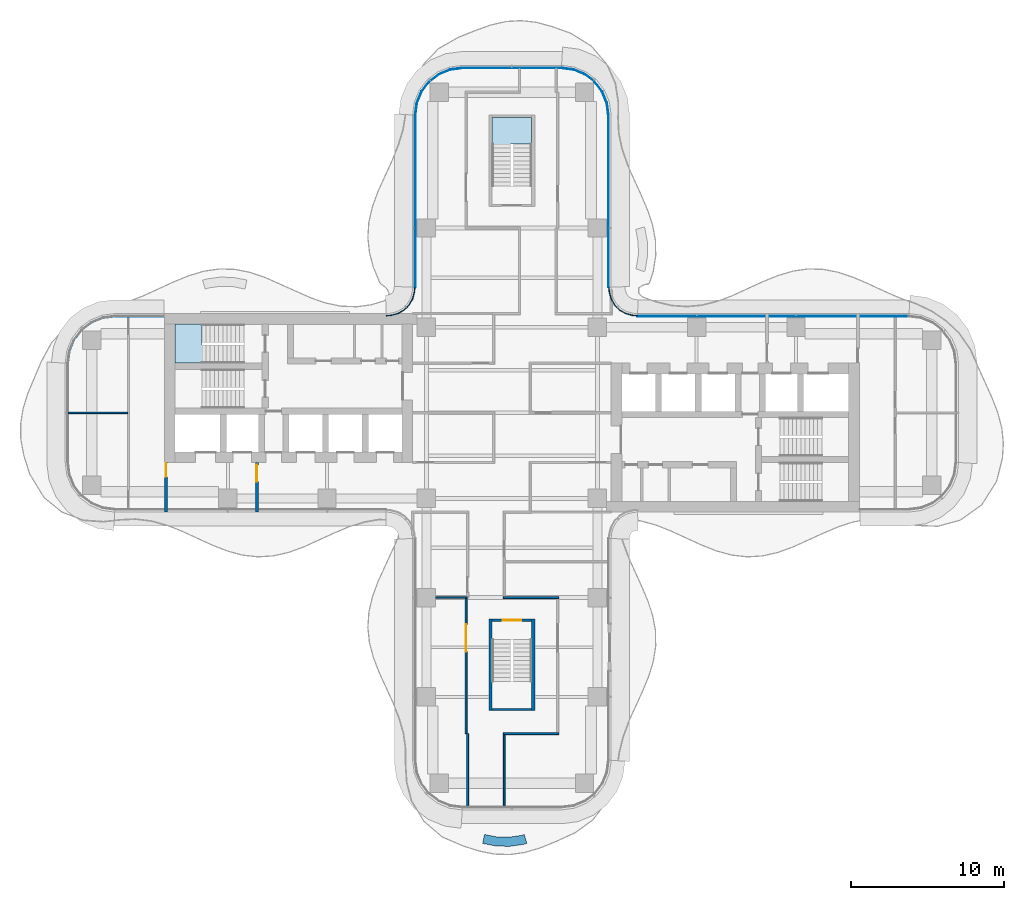
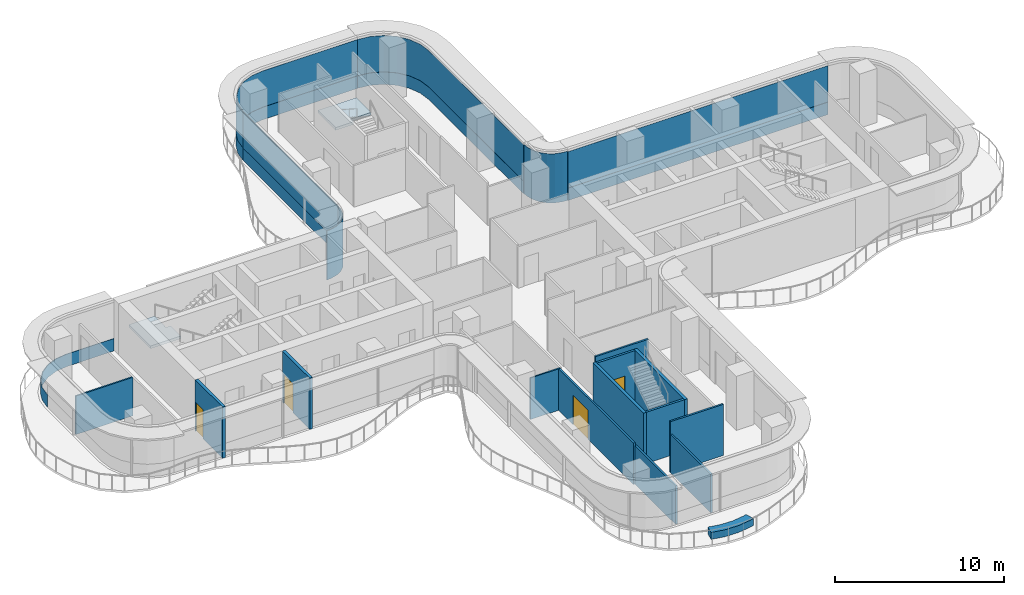
# One storey, part 12 of 18: 14 walls, 11 plates, 4 doors, 2 slabs, 4 openings, 9 elements without a shape of their own.
"""IFC4 building model written with IfcOpenShell, lengths in metres."""

from ifc_helpers import new_model, si_unit, direction, frame, frame_2d, origin, place, context, subcontext, project, spatial, polyline, rectangle, outline, extrude, source, transform, mapped, material, layer, layer_set, type_object, element, fill, aggregate, save


model = new_model("IFC4")

# Units and contexts
model_context = context("Model", 3, precision=1e-05, world=origin(), true_north=direction((0.0, 1.0)))
body_context = subcontext(model_context, "Body", "Model", "MODEL_VIEW")
ifc_project = project(units=[si_unit("LENGTHUNIT", "METRE"), si_unit("AREAUNIT", "SQUARE_METRE"), si_unit("VOLUMEUNIT", "CUBIC_METRE"), si_unit("PLANEANGLEUNIT", "RADIAN"), si_unit("MASSUNIT", "GRAM", prefix="KILO")], contexts=[model_context])

# Site, building, storey
site_placement = place(None, origin())
site = spatial("IfcSite", under=ifc_project, at=site_placement, CompositionType="ELEMENT")
building_placement = place(site_placement, origin())
building = spatial("IfcBuilding", under=site, at=building_placement, Name="Trellis Farm Tower", CompositionType="ELEMENT")
storey_placement = place(building_placement, frame((0.0, 0.0, 189.300048828125)))
storey = spatial("IfcBuildingStorey", under=building, at=storey_placement, Name="L41", CompositionType="ELEMENT", Elevation=189.300048828125)

# Stair, slab
ifc_material_1 = material(Name="Concrete C50/60", Category="concrete")
stair_type = type_object("IfcStairType", Name="CORE EXIT STAIR 22 RISERS 177 MM", PredefinedType="HALF_TURN_STAIR", material=ifc_material_1)
placement_1 = place(storey_placement, origin())
stair_1 = element("IfcStair", 1, at=placement_1, inside=storey, type_object=stair_type, Name="Exit stair N", PredefinedType="HALF_TURN_STAIR")
ifc_layer_1 = layer(ifc_material_1, 0.18994140625)
ifc_layer_set_1 = layer_set([ifc_layer_1], Name="CORE STAIR LANDING 190 CONCRETE C50/60")
slab_type = type_object("IfcSlabType", Name="CORE STAIR LANDING 190 CONCRETE C50/60", PredefinedType="LANDING", material=ifc_layer_set_1)
shared_shape_1 = source(origin(), body_context, "Body", "SweptSolid", [
    extrude(outline(polyline([(-0.10009765625, 17.27197265625), (-1.300048828125, 17.27197265625), (-1.300048828125, 17.60009765625), (-1.300048828125, 19.35009765625), (1.300048828125, 19.35009765625), (1.300048828125, 17.60009765625), (1.300048828125, 17.590087890625), (0.10009765625, 17.590087890625), (0.10009765625, 17.60009765625), (-0.10009765625, 17.60009765625), (-0.10009765625, 17.27197265625)])), origin(), (0.0, 0.0, 1.0), 0.18994140625),
])
placement_2 = place(storey_placement, frame((0.0, 0.0, 1.760009765625)))
slab_1 = element("IfcSlab", 2, at=placement_2, type_object=slab_type, Name="STN landing 1", PredefinedType="LANDING", context=body_context, shape_type="MappedRepresentation", body=[
    mapped(shared_shape_1, transform((0.0, 0.0, 0.0))),
])
aggregate(stair_1, [slab_1])

stair_2 = element("IfcStair", 3, at=placement_1, inside=storey, type_object=stair_type, Name="Exit stair W1", PredefinedType="HALF_TURN_STAIR")
shared_shape_2 = source(origin(), body_context, "Body", "SweptSolid", [
    extrude(outline(polyline([(-19.971923828125, 4.449951171875), (-19.971923828125, 3.25), (-20.300048828125, 3.25), (-22.050048828125, 3.25), (-22.050048828125, 5.800048828125), (-20.300048828125, 5.800048828125), (-20.2900390625, 5.800048828125), (-20.2900390625, 4.60009765625), (-20.300048828125, 4.60009765625), (-20.300048828125, 4.449951171875), (-19.971923828125, 4.449951171875)])), origin(), (0.0, 0.0, 1.0), 0.18994140625),
])
slab_2 = element("IfcSlab", 4, at=placement_2, type_object=slab_type, Name="STW1 landing 1", PredefinedType="LANDING", context=body_context, shape_type="MappedRepresentation", body=[
    mapped(shared_shape_2, transform((0.0, 0.0, 0.0))),
])
aggregate(stair_2, [slab_2])

# Curtain wall, plate
ifc_material_2 = material(Name="Aluminium and glass curtain wall", Category="aluminium")
ifc_layer_2 = layer(ifc_material_2, 0.18994140625)
ifc_layer_set_2 = layer_set([ifc_layer_2], Name="RIBBON CURTAIN WALL CW1")
curtain_wall_type_1 = type_object("IfcCurtainWallType", Name="RIBBON CURTAIN WALL CW1", PredefinedType="NOTDEFINED", material=ifc_layer_set_2)
curtain_wall_1 = element("IfcCurtainWall", 5, at=placement_1, inside=storey, type_object=curtain_wall_type_1, Name="CW1 008", PredefinedType="NOTDEFINED")
ifc_material_3 = material(Name="Sandstone faced insulated panel", Category="masonry")
ifc_layer_3 = layer(ifc_material_3, 0.050048828125)
ifc_layer_set_3 = layer_set([ifc_layer_3], Name="CW1 STONE SPANDREL PANEL 50")
plate_type_1 = type_object("IfcPlateType", Name="CW1 STONE SPANDREL PANEL 50", PredefinedType="CURTAIN_PANEL", material=ifc_layer_set_3)
shared_shape_3 = source(origin(), body_context, "Body", "SweptSolid", [
    extrude(outline(polyline([(25.990234375, 6.35009765625), (8.2265625, 6.35009765625), (8.224853515625, 6.300048828125), (25.98681640625, 6.300048828125), (25.990234375, 6.35009765625)])), origin(), (0.0, 0.0, 1.0), 0.89990234375),
])
plate_1 = element("IfcPlate", 6, at=placement_1, type_object=plate_type_1, Name="PS1 008", PredefinedType="CURTAIN_PANEL", context=body_context, shape_type="MappedRepresentation", body=[
    mapped(shared_shape_3, transform((0.0, 0.0, 0.0))),
])

ifc_layer_4 = layer(ifc_material_2, 0.166015625)
ifc_layer_set_4 = layer_set([ifc_layer_4], Name="WINTER GARDEN CURTAIN WALL CW3")
curtain_wall_type_2 = type_object("IfcCurtainWallType", Name="WINTER GARDEN CURTAIN WALL CW3", PredefinedType="NOTDEFINED", material=ifc_layer_set_4)
curtain_wall_2 = element("IfcCurtainWall", 7, at=placement_1, inside=storey, type_object=curtain_wall_type_2, Name="CW3 003", PredefinedType="NOTDEFINED")
ifc_material_4 = material(Name="Clear insulated glass", Category="glass")
ifc_layer_5 = layer(ifc_material_4, 0.0458984375)
ifc_layer_set_5 = layer_set([ifc_layer_5], Name="CW3 GLASS PANEL 46")
plate_type_2 = type_object("IfcPlateType", Name="CW3 GLASS PANEL 46", PredefinedType="CURTAIN_PANEL", material=ifc_layer_set_5)
shared_shape_4 = source(origin(), body_context, "Body", "SweptSolid", [
    extrude(outline(polyline([(8.2275390625, 6.3798828125), (8.0078125, 6.394287109375), (7.89208984375, 6.40966796875), (7.462158203125, 6.52490234375), (7.070556640625, 6.7509765625), (6.7509765625, 7.070556640625), (6.52490234375, 7.462158203125), (6.40966796875, 7.89208984375), (6.394287109375, 8.0078125), (6.3798828125, 8.2275390625), (6.333984375, 8.22607421875), (6.3486328125, 8.003173828125), (6.364501953125, 7.883056640625), (6.48193359375, 7.4443359375), (6.714111328125, 7.04248046875), (7.04248046875, 6.714111328125), (7.4443359375, 6.48193359375), (7.883056640625, 6.364501953125), (8.003173828125, 6.3486328125), (8.22607421875, 6.333984375), (8.2275390625, 6.3798828125)])), origin(), (0.0, 0.0, 1.0), 3.550048828125),
])
plate_2 = element("IfcPlate", 8, at=placement_1, type_object=plate_type_2, Name="PL3 003", PredefinedType="CURTAIN_PANEL", context=body_context, shape_type="MappedRepresentation", body=[
    mapped(shared_shape_4, transform((0.0, 0.0, 0.0))),
])
aggregate(curtain_wall_2, [plate_2])

curtain_wall_3 = element("IfcCurtainWall", 9, at=placement_1, inside=storey, type_object=curtain_wall_type_2, Name="CW3 004", PredefinedType="NOTDEFINED")
shared_shape_5 = source(origin(), body_context, "Body", "SweptSolid", [
    extrude(outline(polyline([(-6.3798828125, 8.2275390625), (-6.394287109375, 8.0078125), (-6.40966796875, 7.89208984375), (-6.52490234375, 7.462158203125), (-6.7509765625, 7.070556640625), (-7.070556640625, 6.7509765625), (-7.462158203125, 6.52490234375), (-7.89208984375, 6.40966796875), (-8.0078125, 6.394287109375), (-8.2275390625, 6.3798828125), (-8.22607421875, 6.333984375), (-8.003173828125, 6.3486328125), (-7.883056640625, 6.364501953125), (-7.4443359375, 6.48193359375), (-7.04248046875, 6.714111328125), (-6.714111328125, 7.04248046875), (-6.48193359375, 7.4443359375), (-6.364501953125, 7.883056640625), (-6.3486328125, 8.003173828125), (-6.333984375, 8.22607421875), (-6.3798828125, 8.2275390625)])), origin(), (0.0, 0.0, 1.0), 3.550048828125),
])
plate_3 = element("IfcPlate", 10, at=placement_1, type_object=plate_type_2, Name="PL3 004", PredefinedType="CURTAIN_PANEL", context=body_context, shape_type="MappedRepresentation", body=[
    mapped(shared_shape_5, transform((0.0, 0.0, 0.0))),
])
aggregate(curtain_wall_3, [plate_3])

# Plate
ifc_layer_6 = layer(ifc_material_4, 0.0400390625)
ifc_layer_set_6 = layer_set([ifc_layer_6], Name="CW1 GLASS PANEL 40")
plate_type_3 = type_object("IfcPlateType", Name="CW1 GLASS PANEL 40", PredefinedType="CURTAIN_PANEL", material=ifc_layer_set_6)
shared_shape_6 = source(origin(), body_context, "Body", "SweptSolid", [
    extrude(outline(polyline([(25.990234375, 6.35009765625), (8.2265625, 6.35009765625), (8.22509765625, 6.31005859375), (25.987548828125, 6.31005859375), (25.990234375, 6.35009765625)])), origin(), (0.0, 0.0, 1.0), 2.6201171875),
])
placement_3 = place(storey_placement, frame((0.0, 0.0, 0.89990234375)))
plate_4 = element("IfcPlate", 11, at=placement_3, type_object=plate_type_3, Name="PL1 008", PredefinedType="CURTAIN_PANEL", context=body_context, shape_type="MappedRepresentation", body=[
    mapped(shared_shape_6, transform((0.0, 0.0, 0.0))),
])

aggregate(curtain_wall_1, [plate_4, plate_1])

# Curtain wall, plate
curtain_wall_4 = element("IfcCurtainWall", 12, at=placement_1, inside=storey, type_object=curtain_wall_type_1, Name="CW1 012", PredefinedType="NOTDEFINED")
shared_shape_7 = source(origin(), body_context, "Body", "SweptSolid", [
    extrude(outline(polyline([(-22.780029296875, 6.35009765625), (-25.990234375, 6.35009765625), (-26.802001953125, 6.2431640625), (-27.54931640625, 5.93359375), (-28.191162109375, 5.441162109375), (-28.68359375, 4.79931640625), (-28.9931640625, 4.052001953125), (-29.10009765625, 3.240234375), (-29.050048828125, 3.23681640625), (-28.9443359375, 4.0390625), (-28.639892578125, 4.774169921875), (-28.155517578125, 5.405517578125), (-27.524169921875, 5.889892578125), (-26.7890625, 6.1943359375), (-25.98681640625, 6.300048828125), (-22.780029296875, 6.300048828125), (-22.780029296875, 6.35009765625)])), origin(), (0.0, 0.0, 1.0), 0.89990234375),
])
plate_5 = element("IfcPlate", 13, at=placement_1, type_object=plate_type_1, Name="PS1 012", PredefinedType="CURTAIN_PANEL", context=body_context, shape_type="MappedRepresentation", body=[
    mapped(shared_shape_7, transform((0.0, 0.0, 0.0))),
])
aggregate(curtain_wall_4, [plate_5])

# Curtain wall, plates
curtain_wall_5 = element("IfcCurtainWall", 14, at=placement_1, inside=storey, type_object=curtain_wall_type_1, Name="CW1 009", PredefinedType="NOTDEFINED")
shared_shape_8 = source(origin(), body_context, "Body", "SweptSolid", [
    extrude(outline(polyline([(6.35009765625, 8.2265625), (6.35009765625, 19.490234375), (6.2431640625, 20.302001953125), (5.93359375, 21.04931640625), (5.441162109375, 21.691162109375), (4.79931640625, 22.18359375), (4.052001953125, 22.4931640625), (3.240234375, 22.60009765625), (3.237548828125, 22.56005859375), (4.04150390625, 22.4541015625), (4.779296875, 22.148681640625), (5.41259765625, 21.66259765625), (5.898681640625, 21.029296875), (6.2041015625, 20.29150390625), (6.31005859375, 19.487548828125), (6.31005859375, 8.22509765625), (6.35009765625, 8.2265625)])), origin(), (0.0, 0.0, 1.0), 2.6201171875),
])
plate_6 = element("IfcPlate", 15, at=placement_3, type_object=plate_type_3, Name="PL1 009", PredefinedType="CURTAIN_PANEL", context=body_context, shape_type="MappedRepresentation", body=[
    mapped(shared_shape_8, transform((0.0, 0.0, 0.0))),
])
shared_shape_9 = source(origin(), body_context, "Body", "SweptSolid", [
    extrude(outline(polyline([(6.35009765625, 8.2265625), (6.35009765625, 19.490234375), (6.2431640625, 20.302001953125), (5.93359375, 21.04931640625), (5.441162109375, 21.691162109375), (4.79931640625, 22.18359375), (4.052001953125, 22.4931640625), (3.240234375, 22.60009765625), (3.23681640625, 22.550048828125), (4.0390625, 22.4443359375), (4.774169921875, 22.139892578125), (5.405517578125, 21.655517578125), (5.889892578125, 21.024169921875), (6.1943359375, 20.2890625), (6.300048828125, 19.48681640625), (6.300048828125, 8.224853515625), (6.35009765625, 8.2265625)])), origin(), (0.0, 0.0, 1.0), 0.89990234375),
])
plate_7 = element("IfcPlate", 16, at=placement_1, type_object=plate_type_1, Name="PS1 009", PredefinedType="CURTAIN_PANEL", context=body_context, shape_type="MappedRepresentation", body=[
    mapped(shared_shape_9, transform((0.0, 0.0, 0.0))),
])
aggregate(curtain_wall_5, [plate_6, plate_7])

curtain_wall_6 = element("IfcCurtainWall", 17, at=placement_1, inside=storey, type_object=curtain_wall_type_1, Name="CW1 010", PredefinedType="NOTDEFINED")
shared_shape_10 = source(origin(), body_context, "Body", "SweptSolid", [
    extrude(outline(polyline([(3.240234375, 22.60009765625), (-3.240234375, 22.60009765625), (-4.052001953125, 22.4931640625), (-4.79931640625, 22.18359375), (-5.441162109375, 21.691162109375), (-5.93359375, 21.04931640625), (-6.2431640625, 20.302001953125), (-6.35009765625, 19.490234375), (-6.31005859375, 19.487548828125), (-6.2041015625, 20.29150390625), (-5.898681640625, 21.029296875), (-5.41259765625, 21.66259765625), (-4.779296875, 22.148681640625), (-4.04150390625, 22.4541015625), (-3.237548828125, 22.56005859375), (3.237548828125, 22.56005859375), (3.240234375, 22.60009765625)])), origin(), (0.0, 0.0, 1.0), 2.6201171875),
])
plate_8 = element("IfcPlate", 18, at=placement_3, type_object=plate_type_3, Name="PL1 010", PredefinedType="CURTAIN_PANEL", context=body_context, shape_type="MappedRepresentation", body=[
    mapped(shared_shape_10, transform((0.0, 0.0, 0.0))),
])
shared_shape_11 = source(origin(), body_context, "Body", "SweptSolid", [
    extrude(outline(polyline([(3.240234375, 22.60009765625), (-3.240234375, 22.60009765625), (-4.052001953125, 22.4931640625), (-4.79931640625, 22.18359375), (-5.441162109375, 21.691162109375), (-5.93359375, 21.04931640625), (-6.2431640625, 20.302001953125), (-6.35009765625, 19.490234375), (-6.300048828125, 19.48681640625), (-6.1943359375, 20.2890625), (-5.889892578125, 21.024169921875), (-5.405517578125, 21.655517578125), (-4.774169921875, 22.139892578125), (-4.0390625, 22.4443359375), (-3.23681640625, 22.550048828125), (3.23681640625, 22.550048828125), (3.240234375, 22.60009765625)])), origin(), (0.0, 0.0, 1.0), 0.89990234375),
])
plate_9 = element("IfcPlate", 19, at=placement_1, type_object=plate_type_1, Name="PS1 010", PredefinedType="CURTAIN_PANEL", context=body_context, shape_type="MappedRepresentation", body=[
    mapped(shared_shape_11, transform((0.0, 0.0, 0.0))),
])
aggregate(curtain_wall_6, [plate_8, plate_9])

curtain_wall_7 = element("IfcCurtainWall", 20, at=placement_1, inside=storey, type_object=curtain_wall_type_1, Name="CW1 011", PredefinedType="NOTDEFINED")
shared_shape_12 = source(origin(), body_context, "Body", "SweptSolid", [
    extrude(outline(polyline([(-6.35009765625, 19.490234375), (-6.35009765625, 8.2265625), (-6.31005859375, 8.22509765625), (-6.31005859375, 19.487548828125), (-6.35009765625, 19.490234375)])), origin(), (0.0, 0.0, 1.0), 2.6201171875),
])
plate_10 = element("IfcPlate", 21, at=placement_3, type_object=plate_type_3, Name="PL1 011", PredefinedType="CURTAIN_PANEL", context=body_context, shape_type="MappedRepresentation", body=[
    mapped(shared_shape_12, transform((0.0, 0.0, 0.0))),
])
shared_shape_13 = source(origin(), body_context, "Body", "SweptSolid", [
    extrude(outline(polyline([(-6.35009765625, 19.490234375), (-6.35009765625, 8.2265625), (-6.300048828125, 8.224853515625), (-6.300048828125, 19.48681640625), (-6.35009765625, 19.490234375)])), origin(), (0.0, 0.0, 1.0), 0.89990234375),
])
plate_11 = element("IfcPlate", 22, at=placement_1, type_object=plate_type_1, Name="PS1 011", PredefinedType="CURTAIN_PANEL", context=body_context, shape_type="MappedRepresentation", body=[
    mapped(shared_shape_13, transform((0.0, 0.0, 0.0))),
])
aggregate(curtain_wall_7, [plate_10, plate_11])

# Wall
ifc_material_5 = material(Name="Sandstone faced masonry planter", Category="masonry")
ifc_layer_7 = layer(ifc_material_5, 0.60009765625)
ifc_layer_set_7 = layer_set([ifc_layer_7], Name="PLANTER BED 600")
wall_type_1 = type_object("IfcWallType", Name="PLANTER BED 600", PredefinedType="USERDEFINED", material=ifc_layer_set_7)
element("IfcWall", 23, at=placement_1, inside=storey, type_object=wall_type_1, Name="PLANTER bed", ObjectType="PLANTER", PredefinedType="USERDEFINED", context=body_context, shape_type="SweptSolid", body=[
    extrude(outline(polyline([(-0.165283203125, -28.387939453125), (-1.068115234375, -28.361083984375), (-1.912109375, -28.1943359375), (-1.7958984375, -27.605712890625), (-1.00048828125, -27.762939453125), (-0.198974609375, -27.786865234375), (0.618408203125, -27.669921875), (0.811767578125, -27.6123046875), (0.982666015625, -28.1875), (0.7470703125, -28.257568359375), (-0.165283203125, -28.387939453125)])), origin(), (0.0, 0.0, 1.0), 0.5),
])

# Wall, opening, door
ifc_material_6 = material(Name="Masonry blockwork", Category="masonry")
ifc_layer_8 = layer(ifc_material_6, 0.199951171875)
ifc_layer_set_8 = layer_set([ifc_layer_8], Name="FIRE LOBBY PARTITION 200 BLOCKWORK")
wall_type_2 = type_object("IfcWallType", Name="FIRE LOBBY PARTITION 200 BLOCKWORK", PredefinedType="PARTITIONING", material=ifc_layer_set_8)
shared_shape_14 = source(origin(), body_context, "Body", "SweptSolid", [
    extrude(rectangle(XDim=3.25, YDim=0.199951171875, at=frame_2d((1.625, 0.0))), origin(), (0.0, 0.0, 1.0), 3.699951171875),
])
wall_2_placement = place(storey_placement, frame((-16.699951171875, -3.25, 0.0), z_axis=(0.0, 0.0, 1.0), x_axis=(0.0, -1.0, 0.0)))
wall_2 = element("IfcWall", 24, at=wall_2_placement, inside=storey, type_object=wall_type_2, Name="Fire-fighting lobby partition", PredefinedType="PARTITIONING", context=body_context, shape_type="MappedRepresentation", body=[
    mapped(shared_shape_14, transform((0.0, 0.0, 0.0))),
])
shared_shape_15 = source(origin(), body_context, "Body", "SweptSolid", [
    extrude(rectangle(XDim=1.10009765625, YDim=2.10009765625, at=frame_2d((0.550048828125, 1.050048828125))), frame((0.0, 0.110107421875, 0.0), z_axis=(0.0, -1.0, 0.0), x_axis=(1.0, 0.0, 0.0)), (0.0, 0.0, 1.0), 0.22021484375),
])
opening_1_placement = place(wall_2_placement, frame((0.14990234375, 0.0, 0.0)))
opening_1 = element("IfcOpeningElement", 25, at=opening_1_placement, cuts=wall_2, Name="Opening DC93", PredefinedType="OPENING", context=body_context, shape_type="MappedRepresentation", body=[
    mapped(shared_shape_15, transform((0.0, 0.0, 0.0))),
])
ifc_material_7 = material(Name="Steel", Category="steel")
door_type_1 = type_object("IfcDoorType", Name="CORE FIRE DOOR 1100 X 2100", OperationType="NOTDEFINED", PredefinedType="DOOR", material=ifc_material_7)
shared_shape_16 = source(origin(), body_context, "Body", "SweptSolid", [
    extrude(rectangle(XDim=1.10009765625, YDim=2.10009765625, at=frame_2d((0.550048828125, 1.050048828125))), frame((0.0, 0.02490234375, 0.0), z_axis=(0.0, -1.0, 0.0), x_axis=(1.0, 0.0, 0.0)), (0.0, 0.0, 1.0), 0.050048828125),
])
door_1_placement = place(opening_1_placement, origin())
door_1 = element("IfcDoor", 26, at=door_1_placement, inside=storey, type_object=door_type_1, Name="Core door", OperationType="SINGLE_SWING_RIGHT", OverallHeight=2.10009765625, OverallWidth=1.10009765625, PredefinedType="DOOR", context=body_context, shape_type="MappedRepresentation", body=[
    mapped(shared_shape_16, transform((0.0, 0.0, 0.0))),
])
fill(opening_1, door_1)

wall_3_placement = place(storey_placement, frame((-22.64990234375, -3.25, 0.0), z_axis=(0.0, 0.0, 1.0), x_axis=(0.0, -1.0, 0.0)))
wall_3 = element("IfcWall", 27, at=wall_3_placement, inside=storey, type_object=wall_type_2, Name="Fire-fighting lobby partition", PredefinedType="PARTITIONING", context=body_context, shape_type="MappedRepresentation", body=[
    mapped(shared_shape_14, transform((0.0, 0.0, 0.0))),
])
shared_shape_17 = source(origin(), body_context, "Body", "SweptSolid", [
    extrude(rectangle(XDim=0.89990234375, YDim=2.10009765625, at=frame_2d((0.449951171875, 1.050048828125))), frame((0.0, 0.110107421875, 0.0), z_axis=(0.0, -1.0, 0.0), x_axis=(1.0, 0.0, 0.0)), (0.0, 0.0, 1.0), 0.22021484375),
])
opening_2_placement = place(wall_3_placement, frame((0.050048828125, 0.0, 0.0)))
opening_2 = element("IfcOpeningElement", 28, at=opening_2_placement, cuts=wall_3, Name="Opening DC94", PredefinedType="OPENING", context=body_context, shape_type="MappedRepresentation", body=[
    mapped(shared_shape_17, transform((0.0, 0.0, 0.0))),
])
door_type_2 = type_object("IfcDoorType", Name="CORE FIRE DOOR 900 X 2100", OperationType="NOTDEFINED", PredefinedType="DOOR", material=ifc_material_7)
shared_shape_18 = source(origin(), body_context, "Body", "SweptSolid", [
    extrude(rectangle(XDim=0.89990234375, YDim=2.10009765625, at=frame_2d((0.449951171875, 1.050048828125))), frame((0.0, 0.02490234375, 0.0), z_axis=(0.0, -1.0, 0.0), x_axis=(1.0, 0.0, 0.0)), (0.0, 0.0, 1.0), 0.050048828125),
])
door_2_placement = place(opening_2_placement, origin())
door_2 = element("IfcDoor", 29, at=door_2_placement, inside=storey, type_object=door_type_2, Name="Core door", OperationType="SINGLE_SWING_RIGHT", OverallHeight=2.10009765625, OverallWidth=0.89990234375, PredefinedType="DOOR", context=body_context, shape_type="MappedRepresentation", body=[
    mapped(shared_shape_18, transform((0.0, 0.0, 0.0))),
])
fill(opening_2, door_2)

# Walls
ifc_material_8 = material(Name="Concrete C70/85", Category="concrete")
ifc_layer_9 = layer(ifc_material_8, 0.199951171875)
ifc_layer_set_9 = layer_set([ifc_layer_9], Name="CORE STAIR ENCLOSURE WALL 200 CONCRETE C70/85")
wall_type_3 = type_object("IfcWallType", Name="CORE STAIR ENCLOSURE WALL 200 CONCRETE C70/85", PredefinedType="SHEAR", material=ifc_layer_set_9)
shared_shape_19 = source(origin(), body_context, "Body", "SweptSolid", [
    extrude(rectangle(XDim=6.0, YDim=0.199951171875, at=frame_2d((3.0, 0.0))), origin(), (0.0, 0.0, 1.0), 3.699951171875),
])
for number, where, z_axis, x_axis, name in (
    (30, (1.39990234375, -13.5, 0.0), (0.0, 0.0, 1.0), (0.0, -1.0, 0.0), "Stair enclosure wall"),
    (31, (-1.39990234375, -13.5, 0.0), (0.0, 0.0, 1.0), (0.0, -1.0, 0.0), "Stair enclosure wall"),
):
    element("IfcWall", number, at=place(storey_placement, frame(where, z_axis=z_axis, x_axis=x_axis)), inside=storey, type_object=wall_type_3, Name=name, PredefinedType="SHEAR", context=body_context, shape_type="MappedRepresentation", body=[
        mapped(shared_shape_19, transform((0.0, 0.0, 0.0))),
    ])

# Wall, opening, door
ifc_layer_10 = layer(ifc_material_8, 0.14990234375)
ifc_layer_set_10 = layer_set([ifc_layer_10], Name="CORE STAIR ENCLOSURE WALL 150 CONCRETE C70/85")
wall_type_4 = type_object("IfcWallType", Name="CORE STAIR ENCLOSURE WALL 150 CONCRETE C70/85", PredefinedType="SHEAR", material=ifc_layer_set_10)
shared_shape_20 = source(origin(), body_context, "Body", "SweptSolid", [
    extrude(rectangle(XDim=2.60009765625, YDim=0.14990234375, at=frame_2d((1.300048828125, 0.0))), origin(), (0.0, 0.0, 1.0), 3.699951171875),
])
wall_4_placement = place(storey_placement, frame((1.300048828125, -13.574951171875, 0.0), z_axis=(0.0, 0.0, 1.0), x_axis=(-1.0, 0.0, 0.0)))
wall_4 = element("IfcWall", 32, at=wall_4_placement, inside=storey, type_object=wall_type_4, Name="Stair enclosure wall", PredefinedType="SHEAR", context=body_context, shape_type="MappedRepresentation", body=[
    mapped(shared_shape_20, transform((0.0, 0.0, 0.0))),
])
shared_shape_21 = source(origin(), body_context, "Body", "SweptSolid", [
    extrude(rectangle(XDim=1.199951171875, YDim=2.10009765625, at=frame_2d((0.60009765625, 1.050048828125))), frame((0.0, 0.0849609375, 0.0), z_axis=(0.0, -1.0, 0.0), x_axis=(1.0, 0.0, 0.0)), (0.0, 0.0, 1.0), 0.169921875),
])
opening_3_placement = place(wall_4_placement, frame((0.699951171875, 0.0, 0.0)))
opening_3 = element("IfcOpeningElement", 33, at=opening_3_placement, cuts=wall_4, Name="Opening DC174", PredefinedType="OPENING", context=body_context, shape_type="MappedRepresentation", body=[
    mapped(shared_shape_21, transform((0.0, 0.0, 0.0))),
])
door_type_3 = type_object("IfcDoorType", Name="CORE FIRE DOOR 1200 X 2100", OperationType="NOTDEFINED", PredefinedType="DOOR", material=ifc_material_7)
shared_shape_22 = source(origin(), body_context, "Body", "SweptSolid", [
    extrude(rectangle(XDim=1.199951171875, YDim=2.10009765625, at=frame_2d((0.60009765625, 1.050048828125))), frame((0.0, 0.02490234375, 0.0), z_axis=(0.0, -1.0, 0.0), x_axis=(1.0, 0.0, 0.0)), (0.0, 0.0, 1.0), 0.050048828125),
])
door_3_placement = place(opening_3_placement, origin())
door_3 = element("IfcDoor", 34, at=door_3_placement, inside=storey, type_object=door_type_3, Name="Core door", OperationType="SINGLE_SWING_RIGHT", OverallHeight=2.10009765625, OverallWidth=1.199951171875, PredefinedType="DOOR", context=body_context, shape_type="MappedRepresentation", body=[
    mapped(shared_shape_22, transform((0.0, 0.0, 0.0))),
])
fill(opening_3, door_3)

# Walls
wall_5_placement = place(storey_placement, frame((1.300048828125, -19.425048828125, 0.0), z_axis=(0.0, 0.0, 1.0), x_axis=(-1.0, 0.0, 0.0)))
element("IfcWall", 35, at=wall_5_placement, inside=storey, type_object=wall_type_4, Name="Stair enclosure wall", PredefinedType="SHEAR", context=body_context, shape_type="MappedRepresentation", body=[
    mapped(shared_shape_20, transform((0.0, 0.0, 0.0))),
])
ifc_material_9 = material(Name="Plasterboard on steel studs, mineral wool", Category="steel")
ifc_layer_11 = layer(ifc_material_9, 0.125)
ifc_layer_set_11 = layer_set([ifc_layer_11], Name="PARTITION 125 STUD EI 60")
wall_type_5 = type_object("IfcWallType", Name="PARTITION 125 STUD EI 60", PredefinedType="PARTITIONING", material=ifc_layer_set_11)
shared_shape_23 = source(origin(), body_context, "Body", "SweptSolid", [
    extrude(rectangle(XDim=4.800048828125, YDim=0.125, at=frame_2d((2.39990234375, 0.0))), origin(), (0.0, 0.0, 1.0), 2.780029296875),
])
wall_6_placement = place(storey_placement, frame((-2.89990234375, -25.800048828125, 0.0), z_axis=(0.0, 0.0, 1.0), x_axis=(0.0, 1.0, 0.0)))
element("IfcWall", 36, at=wall_6_placement, inside=storey, type_object=wall_type_5, Name="Partition PW1", PredefinedType="PARTITIONING", context=body_context, shape_type="MappedRepresentation", body=[
    mapped(shared_shape_23, transform((0.0, 0.0, 0.0))),
])
shared_shape_24 = source(origin(), body_context, "Body", "SweptSolid", [
    extrude(rectangle(XDim=4.737548828125, YDim=0.125, at=frame_2d((2.36865234375, 0.0))), origin(), (0.0, 0.0, 1.0), 2.780029296875),
])
wall_7_placement = place(storey_placement, frame((-0.5, -21.0625, 0.0), z_axis=(0.0, 0.0, 1.0), x_axis=(0.0, -1.0, 0.0)))
element("IfcWall", 37, at=wall_7_placement, inside=storey, type_object=wall_type_5, Name="Partition PW1", PredefinedType="PARTITIONING", context=body_context, shape_type="MappedRepresentation", body=[
    mapped(shared_shape_24, transform((0.0, 0.0, 0.0))),
])
ifc_material_10 = material(Name="Plasterboard on steel studs", Category="steel")
ifc_layer_12 = layer(ifc_material_10, 0.10009765625)
ifc_layer_set_12 = layer_set([ifc_layer_12], Name="PARTITION 100 STUD EI 30")
wall_type_6 = type_object("IfcWallType", Name="PARTITION 100 STUD EI 30", PredefinedType="PARTITIONING", material=ifc_layer_set_12)
shared_shape_25 = source(origin(), body_context, "Body", "SweptSolid", [
    extrude(rectangle(XDim=3.887451171875, YDim=0.10009765625, at=frame_2d((1.94384765625, 0.0))), origin(), (0.0, 0.0, 1.0), 2.780029296875),
])
wall_8_placement = place(storey_placement, frame((-29.050048828125, 0.0, 0.0), z_axis=(0.0, 0.0, 1.0), x_axis=(1.0, 0.0, 0.0)))
element("IfcWall", 38, at=wall_8_placement, inside=storey, type_object=wall_type_6, Name="Partition PW2", PredefinedType="PARTITIONING", context=body_context, shape_type="MappedRepresentation", body=[
    mapped(shared_shape_25, transform((0.0, 0.0, 0.0))),
])
shared_shape_26 = source(origin(), body_context, "Body", "SweptSolid", [
    extrude(rectangle(XDim=3.625, YDim=0.125, at=frame_2d((1.8125, 0.0))), origin(), (0.0, 0.0, 1.0), 3.699951171875),
])
wall_9_placement = place(storey_placement, frame((3.0625, -21.0, 0.0), z_axis=(0.0, 0.0, 1.0), x_axis=(-1.0, 0.0, 0.0)))
element("IfcWall", 39, at=wall_9_placement, inside=storey, type_object=wall_type_5, Name="Partition PW1", PredefinedType="PARTITIONING", context=body_context, shape_type="MappedRepresentation", body=[
    mapped(shared_shape_26, transform((0.0, 0.0, 0.0))),
])
shared_shape_27 = source(origin(), body_context, "Body", "SweptSolid", [
    extrude(rectangle(XDim=2.0625, YDim=0.10009765625, at=frame_2d((1.03125, 0.0))), origin(), (0.0, 0.0, 1.0), 2.996337890625),
])
wall_10_placement = place(storey_placement, frame((-5.0, -12.10009765625, 0.0), z_axis=(0.0, 0.0, 1.0), x_axis=(1.0, 0.0, 0.0)))
element("IfcWall", 40, at=wall_10_placement, inside=storey, type_object=wall_type_6, Name="Partition PW2", PredefinedType="PARTITIONING", context=body_context, shape_type="MappedRepresentation", body=[
    mapped(shared_shape_27, transform((0.0, 0.0, 0.0))),
])
shared_shape_28 = source(origin(), body_context, "Body", "SweptSolid", [
    extrude(rectangle(XDim=3.625, YDim=0.125, at=frame_2d((1.8125, 0.0))), origin(), (0.0, 0.0, 1.0), 2.996337890625),
])
wall_11_placement = place(storey_placement, frame((-0.5625, -12.10009765625, 0.0), z_axis=(0.0, 0.0, 1.0), x_axis=(1.0, 0.0, 0.0)))
element("IfcWall", 41, at=wall_11_placement, inside=storey, type_object=wall_type_5, Name="Partition PW1", PredefinedType="PARTITIONING", context=body_context, shape_type="MappedRepresentation", body=[
    mapped(shared_shape_28, transform((0.0, 0.0, 0.0))),
])

# Wall, opening, door
shared_shape_29 = source(origin(), body_context, "Body", "SweptSolid", [
    extrude(rectangle(XDim=8.85009765625, YDim=0.125, at=frame_2d((4.425048828125, 0.0))), origin(), (0.0, 0.0, 1.0), 2.996337890625),
])
wall_12_placement = place(storey_placement, frame((-3.0, -21.0, 0.0), z_axis=(0.0, 0.0, 1.0), x_axis=(0.0, 1.0, 0.0)))
wall_12 = element("IfcWall", 42, at=wall_12_placement, inside=storey, type_object=wall_type_5, Name="Partition PW1", PredefinedType="PARTITIONING", context=body_context, shape_type="MappedRepresentation", body=[
    mapped(shared_shape_29, transform((0.0, 0.0, 0.0))),
])
shared_shape_30 = source(origin(), body_context, "Body", "SweptSolid", [
    extrude(rectangle(XDim=1.800048828125, YDim=2.10009765625, at=frame_2d((0.89990234375, 1.050048828125))), frame((0.0, 0.072509765625, 0.0), z_axis=(0.0, -1.0, 0.0), x_axis=(1.0, 0.0, 0.0)), (0.0, 0.0, 1.0), 0.14501953125),
])
opening_4_placement = place(wall_12_placement, frame((5.35009765625, 0.0, 0.0)))
opening_4 = element("IfcOpeningElement", 43, at=opening_4_placement, cuts=wall_12, Name="Opening D201", PredefinedType="OPENING", context=body_context, shape_type="MappedRepresentation", body=[
    mapped(shared_shape_30, transform((0.0, 0.0, 0.0))),
])
ifc_material_11 = material(Name="Fire-rated timber door leaf in a hollow metal frame", Category="wood")
door_type_4 = type_object("IfcDoorType", Name="DOOR PAIR 1800x2100 FD30S", OperationType="NOTDEFINED", PredefinedType="DOOR", material=ifc_material_11)
shared_shape_31 = source(origin(), body_context, "Body", "SweptSolid", [
    extrude(rectangle(XDim=1.800048828125, YDim=2.10009765625, at=frame_2d((0.89990234375, 1.050048828125))), frame((0.0, 0.02490234375, 0.0), z_axis=(0.0, -1.0, 0.0), x_axis=(1.0, 0.0, 0.0)), (0.0, 0.0, 1.0), 0.050048828125),
])
door_4_placement = place(opening_4_placement, origin())
door_4 = element("IfcDoor", 44, at=door_4_placement, inside=storey, type_object=door_type_4, Name="Door D201", OperationType="DOUBLE_DOOR_SINGLE_SWING", OverallHeight=2.10009765625, OverallWidth=1.800048828125, PredefinedType="DOOR", context=body_context, shape_type="MappedRepresentation", body=[
    mapped(shared_shape_31, transform((0.0, 0.0, 0.0))),
])
fill(opening_4, door_4)

save(model, "model.ifc")
